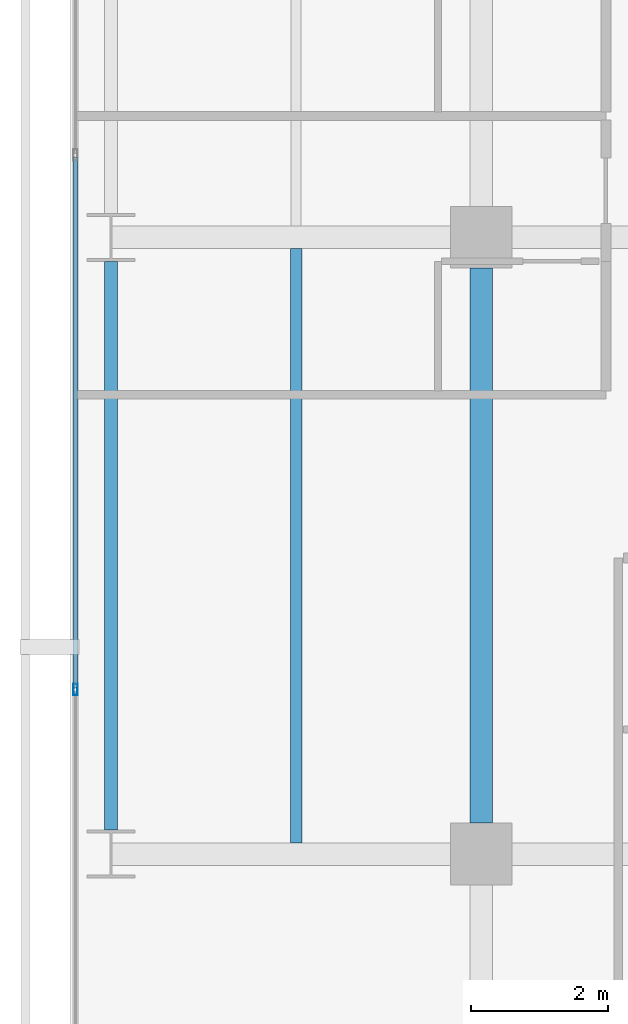
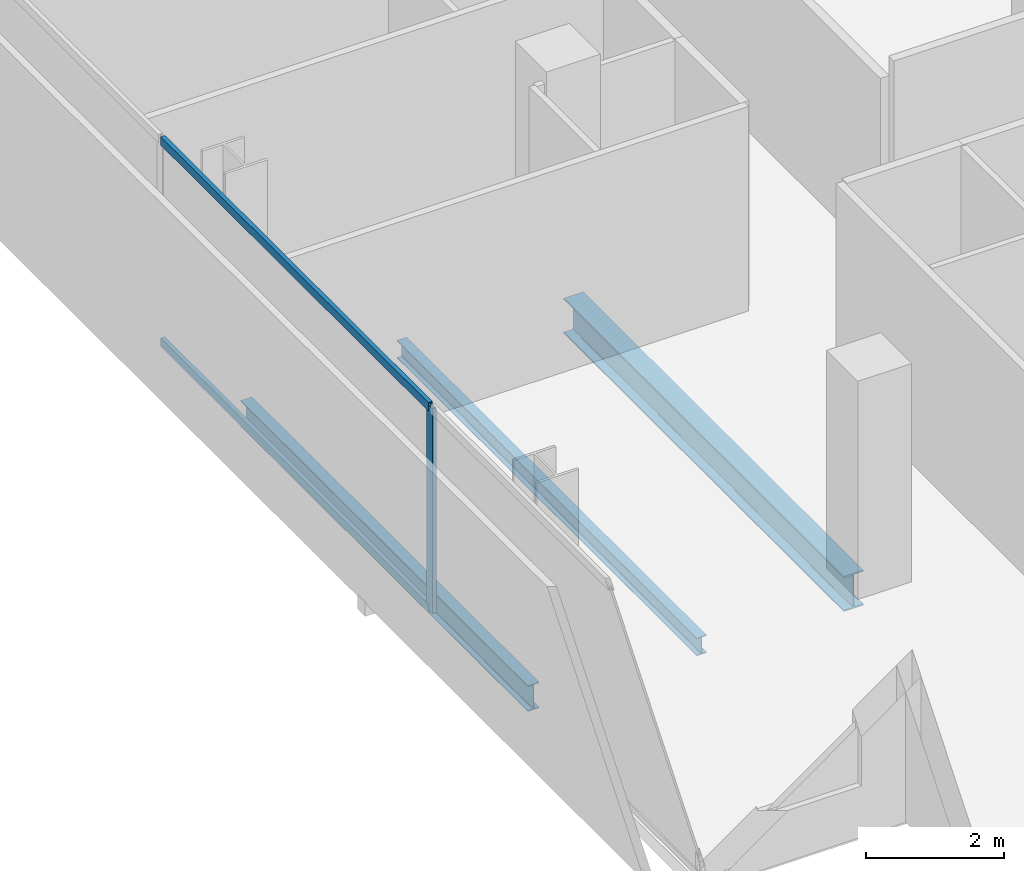
# One storey, part 5 of 41: 3 beams, 3 members, 1 element without a shape of its own.
"""IFC4 building model written with IfcOpenShell, lengths in metres."""

from ifc_helpers import new_model, si_unit, direction, frame, origin, origin_2d, place, context, subcontext, project, spatial, hollow_rectangle, i_section, extrude, material, layer, layer_set, material_profile, profile_set, type_object, element, aggregate, save


model = new_model("IFC4")

# Units and contexts
model_context = context("Model", 3, precision=1e-05, world=origin(), true_north=direction((0.0, 1.0)))
body_context = subcontext(model_context, "Body", "Model", "MODEL_VIEW")
ifc_project = project(units=[si_unit("LENGTHUNIT", "METRE"), si_unit("AREAUNIT", "SQUARE_METRE"), si_unit("VOLUMEUNIT", "CUBIC_METRE"), si_unit("PLANEANGLEUNIT", "RADIAN"), si_unit("MASSUNIT", "GRAM", prefix="KILO")], contexts=[model_context])

# Site, building, storey
site_placement = place(None, origin())
site = spatial("IfcSite", under=ifc_project, at=site_placement, CompositionType="ELEMENT")
building_placement = place(site_placement, origin())
building = spatial("IfcBuilding", under=site, at=building_placement, Name="Maruvema Waterfront Hotel and Observation Tower", CompositionType="ELEMENT")
storey_placement = place(building_placement, frame((0.0, 0.0, 61.60009765625)))
storey = spatial("IfcBuildingStorey", under=building, at=storey_placement, Name="L14", CompositionType="ELEMENT", Elevation=61.60009765625)

# Curtain wall, members
ifc_material_1 = material(Name="Anodised bronze aluminium and solar-control low-E IGU", Category="aluminium")
ifc_layer = layer(ifc_material_1, 0.159912109375, Name="Zone 1 Bronze Inner Thermal Curtain Wall System CW-02")
ifc_layer_set = layer_set([ifc_layer], Name="Anodised bronze aluminium and solar-control low-E IGU")
curtain_wall_type = type_object("IfcCurtainWallType", Name="Zone 1 Bronze Inner Thermal Curtain Wall System CW-02", PredefinedType="USERDEFINED", material=ifc_layer_set)
curtain_wall_placement = place(storey_placement, origin())
curtain_wall = element("IfcCurtainWall", 1, at=curtain_wall_placement, inside=storey, type_object=curtain_wall_type, Name="L14 Curtain Wall CW-L14-W", ObjectType="UNITISED CURTAIN WALL", PredefinedType="USERDEFINED")
ifc_material_2 = material(Name="Anodised architectural bronze aluminium", Category="aluminium")
ifc_material_profile_1 = material_profile(ifc_material_2, hollow_rectangle(XDim=0.070068359375, YDim=0.14990234375, WallThickness=0.00390625, at=origin_2d()), Name="ALU-T70x150")
ifc_profile_set_1 = profile_set([ifc_material_profile_1], Name="Anodised architectural bronze aluminium")
member_type_1 = type_object("IfcMemberType", Name="Curtain Wall Horizontal Transom ALU-T70x150", PredefinedType="USERDEFINED", material=ifc_profile_set_1)
member_1_placement = place(storey_placement, frame((10.8798828125, 19.169921875, 0.02978515625), z_axis=(0.0, -1.0, 0.0), x_axis=(1.0, 0.0, 0.0)))
member_1 = element("IfcMember", 2, at=member_1_placement, type_object=member_type_1, Name="CW-02 transom 5.1", ObjectType="TRANSOM", PredefinedType="USERDEFINED", context=body_context, shape_type="SweptSolid", body=[
    extrude(hollow_rectangle(XDim=0.070068359375, YDim=0.14990234375, WallThickness=0.00390625, at=origin_2d()), origin(), (0.0, 0.0, 1.0), 7.739990234375),
])
member_2_placement = place(storey_placement, frame((10.8798828125, 19.169921875, 3.579833984375), z_axis=(0.0, -1.0, 0.0), x_axis=(1.0, 0.0, 0.0)))
member_2 = element("IfcMember", 3, at=member_2_placement, type_object=member_type_1, Name="CW-02 transom 5.2", ObjectType="TRANSOM", PredefinedType="USERDEFINED", context=body_context, shape_type="SweptSolid", body=[
    extrude(hollow_rectangle(XDim=0.070068359375, YDim=0.14990234375, WallThickness=0.00390625, at=origin_2d()), origin(), (0.0, 0.0, 1.0), 7.739990234375),
])
ifc_material_3 = material(Name="Anodised architectural bronze aluminium", Category="aluminium")
ifc_material_profile_2 = material_profile(ifc_material_3, hollow_rectangle(XDim=0.06494140625, YDim=0.1650390625, WallThickness=0.00390625, at=origin_2d()), Name="ALU-M65x165")
ifc_profile_set_2 = profile_set([ifc_material_profile_2], Name="Anodised architectural bronze aluminium")
member_type_2 = type_object("IfcMemberType", Name="Curtain Wall Primary Mullion ALU-M65x165", PredefinedType="MULLION", material=ifc_profile_set_2)
member_3_placement = place(storey_placement, frame((10.8798828125, 11.39990234375, 0.0), z_axis=(0.0, 0.0, 1.0), x_axis=(1.0, 0.0, 0.0)))
member_3 = element("IfcMember", 4, at=member_3_placement, type_object=member_type_2, Name="CW-02 mullion 6", PredefinedType="MULLION", context=body_context, shape_type="SweptSolid", body=[
    extrude(hollow_rectangle(XDim=0.06494140625, YDim=0.1650390625, WallThickness=0.00390625, at=origin_2d()), origin(), (0.0, 0.0, 1.0), 3.60986328125),
])
aggregate(curtain_wall, [member_3, member_1, member_2])

# Beams
ifc_material_4 = material(Name="Steel ASTM A572 Grade 50", Category="steel")
ifc_material_profile_3 = material_profile(ifc_material_4, i_section(OverallWidth=0.18994140625, OverallDepth=0.45703125, WebThickness=0.009033203125, FlangeThickness=0.014404296875, FilletRadius=0.014892578125, at=origin_2d()), Name="W460x74.0")
ifc_profile_set_3 = profile_set([ifc_material_profile_3], Name="Steel ASTM A572 Grade 50")
beam_type_1 = type_object("IfcBeamType", Name="Perimeter Spandrel Beam W460x74.0", PredefinedType="SPANDREL", material=ifc_profile_set_3)
beam_1_placement = place(storey_placement, frame((11.39990234375, 9.35009765625, -0.468505859375), z_axis=(0.0, 1.0, 0.0), x_axis=(-1.0, 0.0, 0.0)))
element("IfcBeam", 5, at=beam_1_placement, inside=storey, type_object=beam_type_1, Name="L14 Floor Girder NS-01", PredefinedType="SPANDREL", context=body_context, shape_type="SweptSolid", body=[
    extrude(i_section(OverallWidth=0.18994140625, OverallDepth=0.45703125, WebThickness=0.009033203125, FlangeThickness=0.014404296875, FilletRadius=0.014892578125, at=origin_2d()), origin(), (0.0, 0.0, 1.0), 8.2998046875),
])
ifc_material_5 = material(Name="Steel ASTM A572 Grade 50", Category="steel")
ifc_material_profile_4 = material_profile(ifc_material_5, i_section(OverallWidth=0.326904296875, OverallDepth=0.6220703125, WebThickness=0.015380859375, FlangeThickness=0.0244140625, FilletRadius=0.01806640625, at=origin_2d()), Name="W610x195.0")
ifc_profile_set_4 = profile_set([ifc_material_profile_4], Name="Steel ASTM A572 Grade 50")
beam_type_2 = type_object("IfcBeamType", Name="Primary Floor Girder W610x195.0", PredefinedType="BEAM", material=ifc_profile_set_4)
beam_2_placement = place(storey_placement, frame((16.800048828125, 9.449951171875, -0.551025390625), z_axis=(0.0, 1.0, 0.0), x_axis=(-1.0, 0.0, 0.0)))
element("IfcBeam", 6, at=beam_2_placement, inside=storey, type_object=beam_type_2, Name="L14 Floor Girder NS-06", PredefinedType="BEAM", context=body_context, shape_type="SweptSolid", body=[
    extrude(i_section(OverallWidth=0.326904296875, OverallDepth=0.6220703125, WebThickness=0.015380859375, FlangeThickness=0.0244140625, FilletRadius=0.01806640625, at=origin_2d()), origin(), (0.0, 0.0, 1.0), 8.10009765625),
])
ifc_material_6 = material(Name="Steel ASTM A572 Grade 50", Category="steel")
ifc_material_profile_5 = material_profile(ifc_material_6, i_section(OverallWidth=0.1650390625, OverallDepth=0.31005859375, WebThickness=0.005859375, FlangeThickness=0.009765625, FilletRadius=0.012939453125, at=origin_2d()), Name="W310x38.7")
ifc_profile_set_5 = profile_set([ifc_material_profile_5], Name="Steel ASTM A572 Grade 50")
beam_type_3 = type_object("IfcBeamType", Name="Secondary Floor Joist W310x38.7", PredefinedType="JOIST", material=ifc_profile_set_5)
beam_3_placement = place(storey_placement, frame((14.10009765625, 9.16357421875, -0.39501953125), z_axis=(0.0, 1.0, 0.0), x_axis=(-1.0, 0.0, 0.0)))
element("IfcBeam", 7, at=beam_3_placement, inside=storey, type_object=beam_type_3, Name="L14 Secondary Floor Joist JS-01", PredefinedType="JOIST", context=body_context, shape_type="SweptSolid", body=[
    extrude(i_section(OverallWidth=0.1650390625, OverallDepth=0.31005859375, WebThickness=0.005859375, FlangeThickness=0.009765625, FilletRadius=0.012939453125, at=origin_2d()), origin(), (0.0, 0.0, 1.0), 8.6728515625),
])

save(model, "model.ifc")
